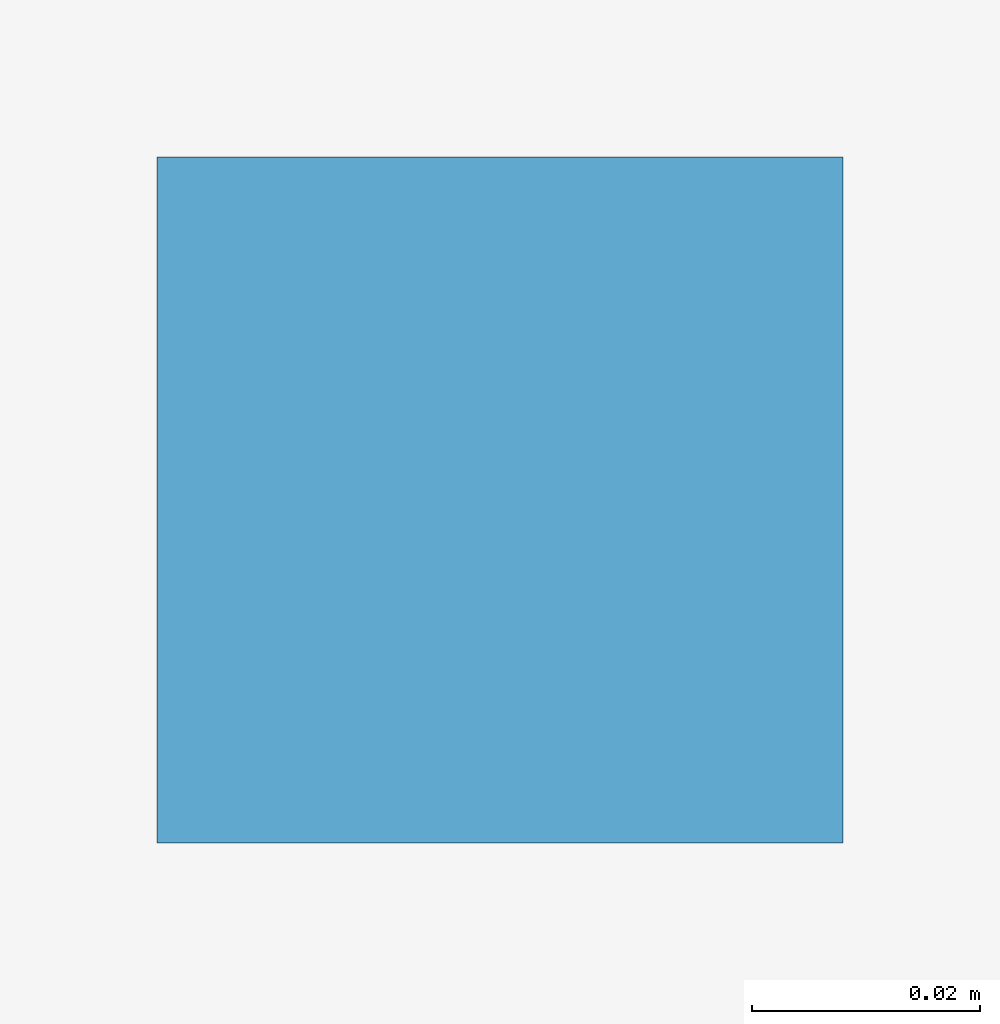
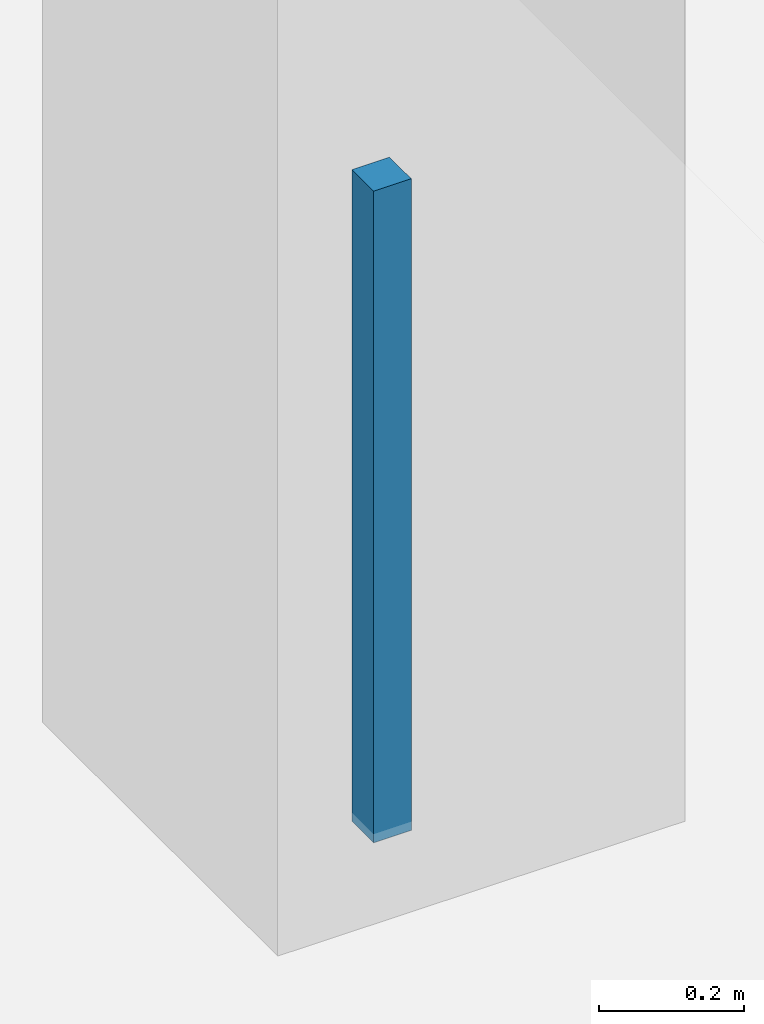
# One storey, part 70 of 77: 1 discrete accessory.
"""IFC4 building model written with IfcOpenShell, lengths in metres."""

from ifc_helpers import new_model, si_unit, direction, frame, origin, origin_2d, place, context, subcontext, project, spatial, rectangle, extrude, material, type_object, element, save


model = new_model("IFC4")

# Units and contexts
model_context = context("Model", 3, precision=1e-05, world=origin(), true_north=direction((0.0, 1.0)))
body_context = subcontext(model_context, "Body", "Model", "MODEL_VIEW")
ifc_project = project(units=[si_unit("LENGTHUNIT", "METRE"), si_unit("AREAUNIT", "SQUARE_METRE"), si_unit("VOLUMEUNIT", "CUBIC_METRE"), si_unit("PLANEANGLEUNIT", "RADIAN"), si_unit("MASSUNIT", "GRAM", prefix="KILO")], contexts=[model_context])

# Site, building, storey
site_placement = place(None, origin())
site = spatial("IfcSite", under=ifc_project, at=site_placement, CompositionType="ELEMENT")
building_placement = place(site_placement, origin())
building = spatial("IfcBuilding", under=site, at=building_placement, Name="Kangsadwip Square Police Headquarters", CompositionType="ELEMENT")
storey_placement = place(building_placement, frame((0.0, 0.0, 17.550048828125)))
storey = spatial("IfcBuildingStorey", under=building, at=storey_placement, Name="L04", CompositionType="ELEMENT", Elevation=17.550048828125)

# Discrete accessory
ifc_material = material(Name="Structural steel IS 2062 E350 (Grade 350, 350 MPa)", Category="steel")
discrete_accessory_type = type_object("IfcDiscreteAccessoryType", Name="VeilOutriggerBracket", PredefinedType="BRACKET", material=ifc_material)
discrete_accessory_placement = place(storey_placement, frame((149.14990234375, 68.39990234375, 2.809814453125), z_axis=(0.0, 0.0, 1.0), x_axis=(1.0, 0.0, 0.0)))
element("IfcDiscreteAccessory", 1, at=discrete_accessory_placement, inside=storey, type_object=discrete_accessory_type, Name="Ceiling Suspension Hanger L04-129", PredefinedType="BRACKET", context=body_context, shape_type="SweptSolid", body=[
    extrude(rectangle(XDim=0.06005859375, YDim=0.06005859375, at=origin_2d()), origin(), (0.0, 0.0, 1.0), 1.10009765625),
])

save(model, "model.ifc")
